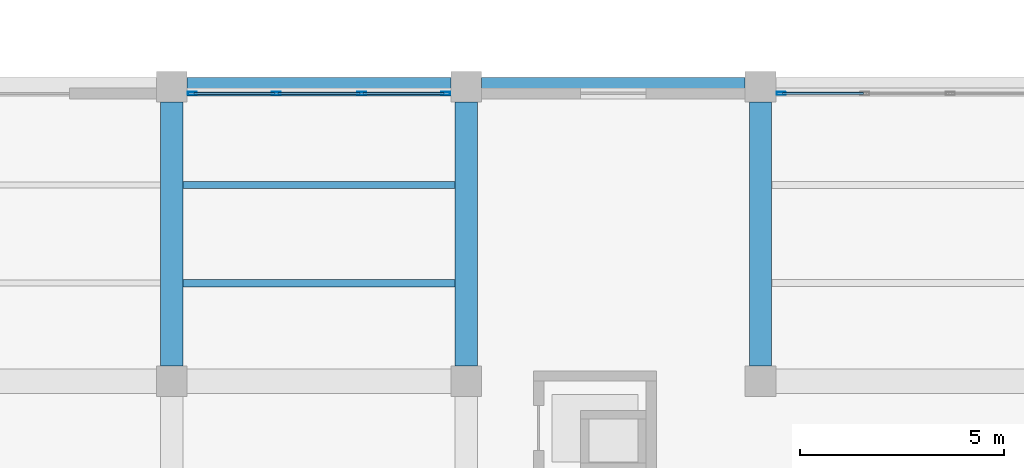
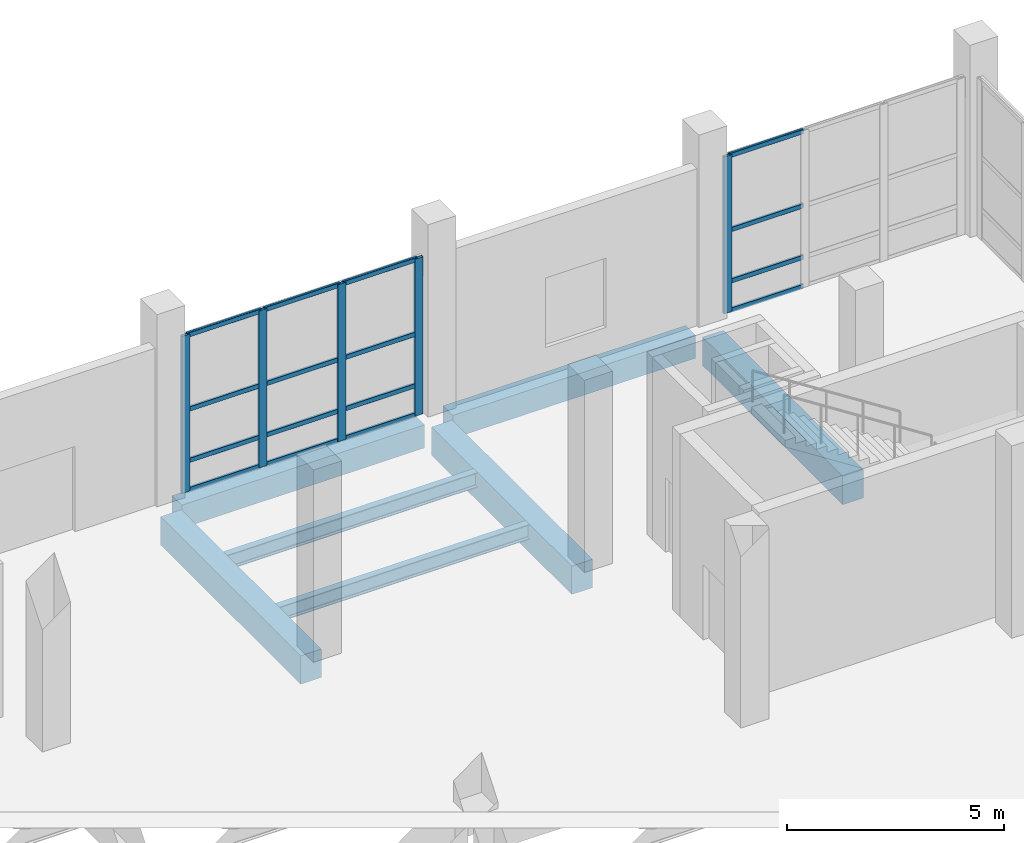
# One storey, part 82 of 137: 21 members, 7 beams, 2 elements without a shape of their own.
"""IFC4 building model written with IfcOpenShell, lengths in metres."""

from ifc_helpers import new_model, si_unit, direction, frame, origin, origin_2d, place, context, subcontext, project, spatial, rectangle, hollow_rectangle, i_section, extrude, material, material_profile, profile_set, type_object, element, aggregate, save


model = new_model("IFC4")

# Units and contexts
model_context = context("Model", 3, precision=1e-05, world=origin(), true_north=direction((0.0, 1.0)))
body_context = subcontext(model_context, "Body", "Model", "MODEL_VIEW")
ifc_project = project(units=[si_unit("LENGTHUNIT", "METRE"), si_unit("AREAUNIT", "SQUARE_METRE"), si_unit("VOLUMEUNIT", "CUBIC_METRE"), si_unit("PLANEANGLEUNIT", "RADIAN"), si_unit("MASSUNIT", "GRAM", prefix="KILO")], contexts=[model_context])

# Site, building, storey
site_placement = place(None, origin())
site = spatial("IfcSite", under=ifc_project, at=site_placement, CompositionType="ELEMENT")
building_placement = place(site_placement, origin())
building = spatial("IfcBuilding", under=site, at=building_placement, Name="Kalmorath City Hall", CompositionType="ELEMENT")
storey_placement = place(building_placement, origin())
storey = spatial("IfcBuildingStorey", under=building, at=storey_placement, Name="L00", CompositionType="ELEMENT", Elevation=0.0)

# Beams
ifc_material_1 = material(Name="Concrete C40/50", Category="concrete")
ifc_material_profile_1 = material_profile(ifc_material_1, rectangle(XDim=0.550048828125, YDim=0.800048828125, at=origin_2d()), Name="RC-BM-550X800")
ifc_profile_set_1 = profile_set([ifc_material_profile_1], Name="Concrete C40/50")
beam_type_1 = type_object("IfcBeamType", Name="Concrete floor girder 550x800", PredefinedType="BEAM", material=ifc_profile_set_1)
for number, where, z_axis, x_axis, name in (
    (1, (144.0, 93.97509765625, -0.7041015625), (0.0, 1.0, 0.0), (-1.0, 0.0, 0.0), "L00 girder CB2 Y21/14-15"),
    (2, (151.199951171875, 93.97509765625, -0.7041015625), (0.0, 1.0, 0.0), (-1.0, 0.0, 0.0), "L00 girder CB2 Y22/14-15"),
    (3, (158.39990234375, 93.97509765625, -0.7041015625), (0.0, 1.0, 0.0), (-1.0, 0.0, 0.0), "L00 girder CB2 Y23/14-15"),
):
    element("IfcBeam", number, at=place(storey_placement, frame(where, z_axis=z_axis, x_axis=x_axis)), inside=storey, type_object=beam_type_1, Name=name, PredefinedType="BEAM", context=body_context, shape_type="SweptSolid", body=[
        extrude(rectangle(XDim=0.550048828125, YDim=0.800048828125, at=origin_2d()), origin(), (0.0, 0.0, 1.0), 6.449951171875),
    ])
ifc_material_2 = material(Name="Concrete C40/50", Category="concrete")
ifc_material_profile_2 = material_profile(ifc_material_2, rectangle(XDim=0.449951171875, YDim=0.64990234375, at=origin_2d()), Name="RC-BM-450X650")
ifc_profile_set_2 = profile_set([ifc_material_profile_2], Name="Concrete C40/50")
beam_type_2 = type_object("IfcBeamType", Name="Concrete spandrel beam 450x650", PredefinedType="SPANDREL", material=ifc_profile_set_2)
for number, where, z_axis, x_axis, name in (
    (4, (144.375, 100.800048828125, -0.62890625), (1.0, 0.0, 0.0), (0.0, 1.0, 0.0), "L00 girder CB5 X21-22/15"),
    (5, (151.574951171875, 100.800048828125, -0.62890625), (1.0, 0.0, 0.0), (0.0, 1.0, 0.0), "L00 girder CB5 X22-23/15"),
):
    element("IfcBeam", number, at=place(storey_placement, frame(where, z_axis=z_axis, x_axis=x_axis)), inside=storey, type_object=beam_type_2, Name=name, PredefinedType="SPANDREL", context=body_context, shape_type="SweptSolid", body=[
        extrude(rectangle(XDim=0.449951171875, YDim=0.64990234375, at=origin_2d()), origin(), (0.0, 0.0, 1.0), 6.449951171875),
    ])

# Curtain wall, members
ifc_material_3 = material(Name="Anodised aluminium and laminated glass", Category="aluminium")
curtain_wall_type = type_object("IfcCurtainWallType", Name="Unitised hurricane curtain wall 6270x4411 M1850", PredefinedType="NOTDEFINED", material=ifc_material_3)
curtain_wall_1_placement = place(storey_placement, origin())
curtain_wall_1 = element("IfcCurtainWall", 6, at=curtain_wall_1_placement, inside=storey, type_object=curtain_wall_type, Name="L00 curtain wall CW-63X44M18 #3", PredefinedType="NOTDEFINED")
ifc_material_4 = material(Name="Anodised aluminium framing", Category="aluminium")
ifc_material_profile_3 = material_profile(ifc_material_4, hollow_rectangle(XDim=0.06005859375, YDim=0.1298828125, WallThickness=0.00341796875, InnerFilletRadius=0.00341796875, OuterFilletRadius=0.007080078125, at=origin_2d()), Name="ALU-TRN-130X60X3.5")
ifc_profile_set_3 = profile_set([ifc_material_profile_3], Name="Anodised aluminium framing")
member_type_1 = type_object("IfcMemberType", Name="Curtain-wall courtyard transom 130x60", PredefinedType="USERDEFINED", material=ifc_profile_set_3)
member_1_placement = place(storey_placement, frame((144.5400390625, 100.639892578125, 0.030029296875), z_axis=(1.0, 0.0, 0.0), x_axis=(0.0, 1.0, 0.0)))
member_1 = element("IfcMember", 7, at=member_1_placement, type_object=member_type_1, Name="CW-63X44M18 transom 1.1", ObjectType="TRANSOM", PredefinedType="USERDEFINED", context=body_context, shape_type="SweptSolid", body=[
    extrude(hollow_rectangle(XDim=0.06005859375, YDim=0.1298828125, WallThickness=0.00341796875, InnerFilletRadius=0.00341796875, OuterFilletRadius=0.007080078125, at=origin_2d()), origin(), (0.0, 0.0, 1.0), 1.9775390625),
])
member_2_placement = place(storey_placement, frame((144.5400390625, 100.639892578125, 0.85009765625), z_axis=(1.0, 0.0, 0.0), x_axis=(0.0, 1.0, 0.0)))
member_2 = element("IfcMember", 8, at=member_2_placement, type_object=member_type_1, Name="CW-63X44M18 transom 1.2", ObjectType="TRANSOM", PredefinedType="USERDEFINED", context=body_context, shape_type="SweptSolid", body=[
    extrude(hollow_rectangle(XDim=0.06005859375, YDim=0.1298828125, WallThickness=0.00341796875, InnerFilletRadius=0.00341796875, OuterFilletRadius=0.007080078125, at=origin_2d()), origin(), (0.0, 0.0, 1.0), 1.9775390625),
])
member_3_placement = place(storey_placement, frame((144.5400390625, 100.639892578125, 2.2939453125), z_axis=(1.0, 0.0, 0.0), x_axis=(0.0, 1.0, 0.0)))
member_3 = element("IfcMember", 9, at=member_3_placement, type_object=member_type_1, Name="CW-63X44M18 transom 1.3", ObjectType="TRANSOM", PredefinedType="USERDEFINED", context=body_context, shape_type="SweptSolid", body=[
    extrude(hollow_rectangle(XDim=0.06005859375, YDim=0.1298828125, WallThickness=0.00341796875, InnerFilletRadius=0.00341796875, OuterFilletRadius=0.007080078125, at=origin_2d()), origin(), (0.0, 0.0, 1.0), 1.9775390625),
])
member_4_placement = place(storey_placement, frame((144.5400390625, 100.639892578125, 4.381103515625), z_axis=(1.0, 0.0, 0.0), x_axis=(0.0, 1.0, 0.0)))
member_4 = element("IfcMember", 10, at=member_4_placement, type_object=member_type_1, Name="CW-63X44M18 transom 1.4", ObjectType="TRANSOM", PredefinedType="USERDEFINED", context=body_context, shape_type="SweptSolid", body=[
    extrude(hollow_rectangle(XDim=0.06005859375, YDim=0.1298828125, WallThickness=0.00341796875, InnerFilletRadius=0.00341796875, OuterFilletRadius=0.007080078125, at=origin_2d()), origin(), (0.0, 0.0, 1.0), 1.9775390625),
])
member_5_placement = place(storey_placement, frame((146.592529296875, 100.639892578125, 0.030029296875), z_axis=(1.0, 0.0, 0.0), x_axis=(0.0, 1.0, 0.0)))
member_5 = element("IfcMember", 11, at=member_5_placement, type_object=member_type_1, Name="CW-63X44M18 transom 2.1", ObjectType="TRANSOM", PredefinedType="USERDEFINED", context=body_context, shape_type="SweptSolid", body=[
    extrude(hollow_rectangle(XDim=0.06005859375, YDim=0.1298828125, WallThickness=0.00341796875, InnerFilletRadius=0.00341796875, OuterFilletRadius=0.007080078125, at=origin_2d()), origin(), (0.0, 0.0, 1.0), 2.014892578125),
])
member_6_placement = place(storey_placement, frame((146.592529296875, 100.639892578125, 0.85009765625), z_axis=(1.0, 0.0, 0.0), x_axis=(0.0, 1.0, 0.0)))
member_6 = element("IfcMember", 12, at=member_6_placement, type_object=member_type_1, Name="CW-63X44M18 transom 2.2", ObjectType="TRANSOM", PredefinedType="USERDEFINED", context=body_context, shape_type="SweptSolid", body=[
    extrude(hollow_rectangle(XDim=0.06005859375, YDim=0.1298828125, WallThickness=0.00341796875, InnerFilletRadius=0.00341796875, OuterFilletRadius=0.007080078125, at=origin_2d()), origin(), (0.0, 0.0, 1.0), 2.014892578125),
])
member_7_placement = place(storey_placement, frame((146.592529296875, 100.639892578125, 2.2939453125), z_axis=(1.0, 0.0, 0.0), x_axis=(0.0, 1.0, 0.0)))
member_7 = element("IfcMember", 13, at=member_7_placement, type_object=member_type_1, Name="CW-63X44M18 transom 2.3", ObjectType="TRANSOM", PredefinedType="USERDEFINED", context=body_context, shape_type="SweptSolid", body=[
    extrude(hollow_rectangle(XDim=0.06005859375, YDim=0.1298828125, WallThickness=0.00341796875, InnerFilletRadius=0.00341796875, OuterFilletRadius=0.007080078125, at=origin_2d()), origin(), (0.0, 0.0, 1.0), 2.014892578125),
])
member_8_placement = place(storey_placement, frame((146.592529296875, 100.639892578125, 4.381103515625), z_axis=(1.0, 0.0, 0.0), x_axis=(0.0, 1.0, 0.0)))
member_8 = element("IfcMember", 14, at=member_8_placement, type_object=member_type_1, Name="CW-63X44M18 transom 2.4", ObjectType="TRANSOM", PredefinedType="USERDEFINED", context=body_context, shape_type="SweptSolid", body=[
    extrude(hollow_rectangle(XDim=0.06005859375, YDim=0.1298828125, WallThickness=0.00341796875, InnerFilletRadius=0.00341796875, OuterFilletRadius=0.007080078125, at=origin_2d()), origin(), (0.0, 0.0, 1.0), 2.014892578125),
])
member_9_placement = place(storey_placement, frame((148.6826171875, 100.639892578125, 0.030029296875), z_axis=(1.0, 0.0, 0.0), x_axis=(0.0, 1.0, 0.0)))
member_9 = element("IfcMember", 15, at=member_9_placement, type_object=member_type_1, Name="CW-63X44M18 transom 3.1", ObjectType="TRANSOM", PredefinedType="USERDEFINED", context=body_context, shape_type="SweptSolid", body=[
    extrude(hollow_rectangle(XDim=0.06005859375, YDim=0.1298828125, WallThickness=0.00341796875, InnerFilletRadius=0.00341796875, OuterFilletRadius=0.007080078125, at=origin_2d()), origin(), (0.0, 0.0, 1.0), 1.977294921875),
])
member_10_placement = place(storey_placement, frame((148.6826171875, 100.639892578125, 0.85009765625), z_axis=(1.0, 0.0, 0.0), x_axis=(0.0, 1.0, 0.0)))
member_10 = element("IfcMember", 16, at=member_10_placement, type_object=member_type_1, Name="CW-63X44M18 transom 3.2", ObjectType="TRANSOM", PredefinedType="USERDEFINED", context=body_context, shape_type="SweptSolid", body=[
    extrude(hollow_rectangle(XDim=0.06005859375, YDim=0.1298828125, WallThickness=0.00341796875, InnerFilletRadius=0.00341796875, OuterFilletRadius=0.007080078125, at=origin_2d()), origin(), (0.0, 0.0, 1.0), 1.977294921875),
])
member_11_placement = place(storey_placement, frame((148.6826171875, 100.639892578125, 2.2939453125), z_axis=(1.0, 0.0, 0.0), x_axis=(0.0, 1.0, 0.0)))
member_11 = element("IfcMember", 17, at=member_11_placement, type_object=member_type_1, Name="CW-63X44M18 transom 3.3", ObjectType="TRANSOM", PredefinedType="USERDEFINED", context=body_context, shape_type="SweptSolid", body=[
    extrude(hollow_rectangle(XDim=0.06005859375, YDim=0.1298828125, WallThickness=0.00341796875, InnerFilletRadius=0.00341796875, OuterFilletRadius=0.007080078125, at=origin_2d()), origin(), (0.0, 0.0, 1.0), 1.977294921875),
])
member_12_placement = place(storey_placement, frame((148.6826171875, 100.639892578125, 4.381103515625), z_axis=(1.0, 0.0, 0.0), x_axis=(0.0, 1.0, 0.0)))
member_12 = element("IfcMember", 18, at=member_12_placement, type_object=member_type_1, Name="CW-63X44M18 transom 3.4", ObjectType="TRANSOM", PredefinedType="USERDEFINED", context=body_context, shape_type="SweptSolid", body=[
    extrude(hollow_rectangle(XDim=0.06005859375, YDim=0.1298828125, WallThickness=0.00341796875, InnerFilletRadius=0.00341796875, OuterFilletRadius=0.007080078125, at=origin_2d()), origin(), (0.0, 0.0, 1.0), 1.977294921875),
])

curtain_wall_2_placement = place(storey_placement, origin())
curtain_wall_2 = element("IfcCurtainWall", 19, at=curtain_wall_2_placement, inside=storey, type_object=curtain_wall_type, Name="L00 curtain wall CW-63X44M18 #4", PredefinedType="NOTDEFINED")
member_13_placement = place(storey_placement, frame((158.93994140625, 100.639892578125, 0.030029296875), z_axis=(1.0, 0.0, 0.0), x_axis=(0.0, 1.0, 0.0)))
member_13 = element("IfcMember", 20, at=member_13_placement, type_object=member_type_1, Name="CW-63X44M18 transom 1.1", ObjectType="TRANSOM", PredefinedType="USERDEFINED", context=body_context, shape_type="SweptSolid", body=[
    extrude(hollow_rectangle(XDim=0.06005859375, YDim=0.1298828125, WallThickness=0.00341796875, InnerFilletRadius=0.00341796875, OuterFilletRadius=0.007080078125, at=origin_2d()), origin(), (0.0, 0.0, 1.0), 1.9775390625),
])
member_14_placement = place(storey_placement, frame((158.93994140625, 100.639892578125, 0.85009765625), z_axis=(1.0, 0.0, 0.0), x_axis=(0.0, 1.0, 0.0)))
member_14 = element("IfcMember", 21, at=member_14_placement, type_object=member_type_1, Name="CW-63X44M18 transom 1.2", ObjectType="TRANSOM", PredefinedType="USERDEFINED", context=body_context, shape_type="SweptSolid", body=[
    extrude(hollow_rectangle(XDim=0.06005859375, YDim=0.1298828125, WallThickness=0.00341796875, InnerFilletRadius=0.00341796875, OuterFilletRadius=0.007080078125, at=origin_2d()), origin(), (0.0, 0.0, 1.0), 1.9775390625),
])
member_15_placement = place(storey_placement, frame((158.93994140625, 100.639892578125, 2.2939453125), z_axis=(1.0, 0.0, 0.0), x_axis=(0.0, 1.0, 0.0)))
member_15 = element("IfcMember", 22, at=member_15_placement, type_object=member_type_1, Name="CW-63X44M18 transom 1.3", ObjectType="TRANSOM", PredefinedType="USERDEFINED", context=body_context, shape_type="SweptSolid", body=[
    extrude(hollow_rectangle(XDim=0.06005859375, YDim=0.1298828125, WallThickness=0.00341796875, InnerFilletRadius=0.00341796875, OuterFilletRadius=0.007080078125, at=origin_2d()), origin(), (0.0, 0.0, 1.0), 1.9775390625),
])
member_16_placement = place(storey_placement, frame((158.93994140625, 100.639892578125, 4.381103515625), z_axis=(1.0, 0.0, 0.0), x_axis=(0.0, 1.0, 0.0)))
member_16 = element("IfcMember", 23, at=member_16_placement, type_object=member_type_1, Name="CW-63X44M18 transom 1.4", ObjectType="TRANSOM", PredefinedType="USERDEFINED", context=body_context, shape_type="SweptSolid", body=[
    extrude(hollow_rectangle(XDim=0.06005859375, YDim=0.1298828125, WallThickness=0.00341796875, InnerFilletRadius=0.00341796875, OuterFilletRadius=0.007080078125, at=origin_2d()), origin(), (0.0, 0.0, 1.0), 1.9775390625),
])

# Member
ifc_material_5 = material(Name="Anodised aluminium framing", Category="aluminium")
ifc_material_profile_4 = material_profile(ifc_material_5, hollow_rectangle(XDim=0.074951171875, YDim=0.219970703125, WallThickness=0.00390625, InnerFilletRadius=0.00390625, OuterFilletRadius=0.008056640625, at=origin_2d()), Name="ALU-MUL-220X75X4")
ifc_profile_set_4 = profile_set([ifc_material_profile_4], Name="Anodised aluminium framing")
member_type_2 = type_object("IfcMemberType", Name="Curtain-wall primary mullion 220x75", PredefinedType="MULLION", material=ifc_profile_set_4)
member_17_placement = place(storey_placement, frame((144.50244140625, 100.639892578125, 0.0), z_axis=(0.0, 0.0, 1.0), x_axis=(0.0, 1.0, 0.0)))
member_17 = element("IfcMember", 24, at=member_17_placement, type_object=member_type_2, Name="CW-63X44M18 mullion 1", PredefinedType="MULLION", context=body_context, shape_type="SweptSolid", body=[
    extrude(hollow_rectangle(XDim=0.074951171875, YDim=0.219970703125, WallThickness=0.00390625, InnerFilletRadius=0.00390625, OuterFilletRadius=0.008056640625, at=origin_2d()), origin(), (0.0, 0.0, 1.0), 4.410888671875),
])

member_18_placement = place(storey_placement, frame((146.554931640625, 100.639892578125, 0.0), z_axis=(0.0, 0.0, 1.0), x_axis=(0.0, 1.0, 0.0)))
member_18 = element("IfcMember", 25, at=member_18_placement, type_object=member_type_2, Name="CW-63X44M18 mullion 2", PredefinedType="MULLION", context=body_context, shape_type="SweptSolid", body=[
    extrude(hollow_rectangle(XDim=0.074951171875, YDim=0.219970703125, WallThickness=0.00390625, InnerFilletRadius=0.00390625, OuterFilletRadius=0.008056640625, at=origin_2d()), origin(), (0.0, 0.0, 1.0), 4.410888671875),
])

member_19_placement = place(storey_placement, frame((148.64501953125, 100.639892578125, 0.0), z_axis=(0.0, 0.0, 1.0), x_axis=(0.0, 1.0, 0.0)))
member_19 = element("IfcMember", 26, at=member_19_placement, type_object=member_type_2, Name="CW-63X44M18 mullion 3", PredefinedType="MULLION", context=body_context, shape_type="SweptSolid", body=[
    extrude(hollow_rectangle(XDim=0.074951171875, YDim=0.219970703125, WallThickness=0.00390625, InnerFilletRadius=0.00390625, OuterFilletRadius=0.008056640625, at=origin_2d()), origin(), (0.0, 0.0, 1.0), 4.410888671875),
])

member_20_placement = place(storey_placement, frame((150.697509765625, 100.639892578125, 0.0), z_axis=(0.0, 0.0, 1.0), x_axis=(0.0, 1.0, 0.0)))
member_20 = element("IfcMember", 27, at=member_20_placement, type_object=member_type_2, Name="CW-63X44M18 mullion 4", PredefinedType="MULLION", context=body_context, shape_type="SweptSolid", body=[
    extrude(hollow_rectangle(XDim=0.074951171875, YDim=0.219970703125, WallThickness=0.00390625, InnerFilletRadius=0.00390625, OuterFilletRadius=0.008056640625, at=origin_2d()), origin(), (0.0, 0.0, 1.0), 4.410888671875),
])

aggregate(curtain_wall_1, [member_17, member_18, member_19, member_20, member_1, member_2, member_3, member_4, member_5, member_6, member_7, member_8, member_9, member_10, member_11, member_12])

member_21_placement = place(storey_placement, frame((158.902587890625, 100.639892578125, 0.0), z_axis=(0.0, 0.0, 1.0), x_axis=(0.0, 1.0, 0.0)))
member_21 = element("IfcMember", 28, at=member_21_placement, type_object=member_type_2, Name="CW-63X44M18 mullion 1", PredefinedType="MULLION", context=body_context, shape_type="SweptSolid", body=[
    extrude(hollow_rectangle(XDim=0.074951171875, YDim=0.219970703125, WallThickness=0.00390625, InnerFilletRadius=0.00390625, OuterFilletRadius=0.008056640625, at=origin_2d()), origin(), (0.0, 0.0, 1.0), 4.410888671875),
])

aggregate(curtain_wall_2, [member_21, member_13, member_14, member_15, member_16])

# Beams
ifc_material_6 = material(Name="Steel ASTM A992 Grade 50", Category="steel")
ifc_material_profile_5 = material_profile(ifc_material_6, i_section(OverallWidth=0.180908203125, OverallDepth=0.4169921875, WebThickness=0.010986328125, FlangeThickness=0.018310546875, FilletRadius=0.012939453125, at=origin_2d()), Name="W16X57")
ifc_profile_set_5 = profile_set([ifc_material_profile_5], Name="Steel ASTM A992 Grade 50")
beam_type_3 = type_object("IfcBeamType", Name="Steel composite joist W16X57", PredefinedType="JOIST", material=ifc_profile_set_5)
for number, where, z_axis, x_axis, name in (
    (29, (144.27490234375, 96.0, -0.512451171875), (1.0, 0.0, 0.0), (0.0, 1.0, 0.0), "L00 joist SJ5 21.14.1"),
    (30, (144.27490234375, 98.39990234375, -0.512451171875), (1.0, 0.0, 0.0), (0.0, 1.0, 0.0), "L00 joist SJ5 21.14.2"),
):
    element("IfcBeam", number, at=place(storey_placement, frame(where, z_axis=z_axis, x_axis=x_axis)), inside=storey, type_object=beam_type_3, Name=name, PredefinedType="JOIST", context=body_context, shape_type="SweptSolid", body=[
        extrude(i_section(OverallWidth=0.180908203125, OverallDepth=0.4169921875, WebThickness=0.010986328125, FlangeThickness=0.018310546875, FilletRadius=0.012939453125, at=origin_2d()), origin(), (0.0, 0.0, 1.0), 6.650146484375),
    ])

save(model, "model.ifc")
